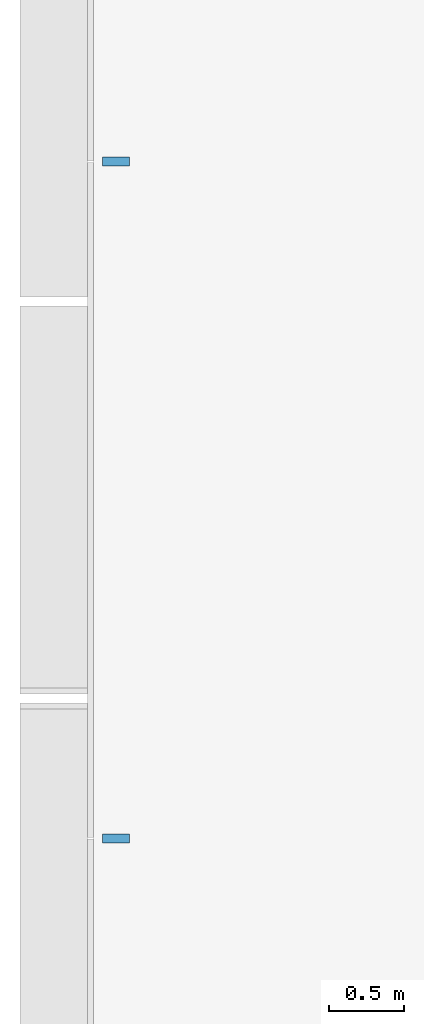
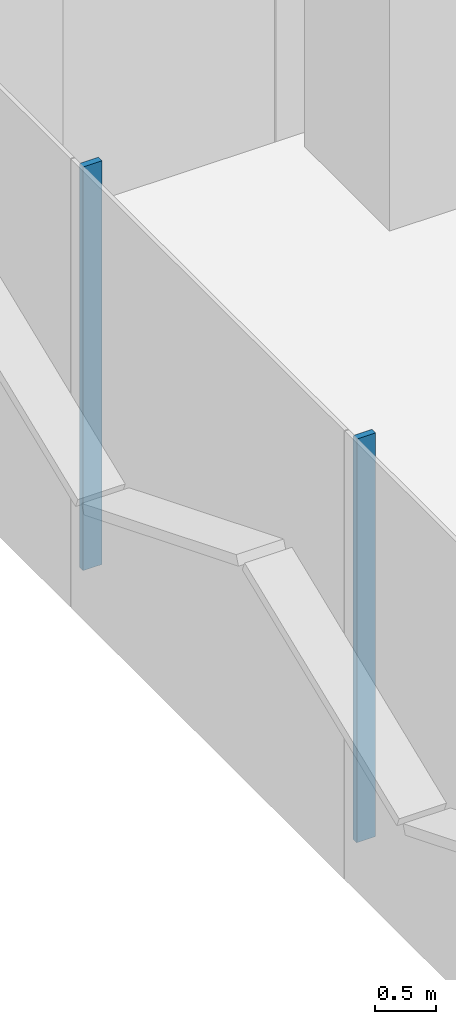
# One storey, part 4 of 22: 2 members, 1 element without a shape of its own.
"""IFC4 building model written with IfcOpenShell, lengths in metres."""

from ifc_helpers import new_model, si_unit, direction, frame, origin, origin_2d, place, context, subcontext, project, spatial, rectangle, extrude, material, layer, layer_set, material_profile, profile_set, type_object, element, aggregate, save


model = new_model("IFC4")

# Units and contexts
model_context = context("Model", 3, precision=1e-05, world=origin(), true_north=direction((0.0, 1.0)))
body_context = subcontext(model_context, "Body", "Model", "MODEL_VIEW")
ifc_project = project(units=[si_unit("LENGTHUNIT", "METRE"), si_unit("AREAUNIT", "SQUARE_METRE"), si_unit("VOLUMEUNIT", "CUBIC_METRE"), si_unit("PLANEANGLEUNIT", "RADIAN"), si_unit("MASSUNIT", "GRAM", prefix="KILO")], contexts=[model_context])

# Site, building, storey
site_placement = place(None, origin())
site = spatial("IfcSite", under=ifc_project, at=site_placement, CompositionType="ELEMENT")
building_placement = place(site_placement, origin())
building = spatial("IfcBuilding", under=site, at=building_placement, Name="Shamsa Quay Exchange Towers", CompositionType="ELEMENT")
storey_placement = place(building_placement, frame((0.0, 0.0, 37.5)))
storey = spatial("IfcBuildingStorey", under=building, at=storey_placement, Name="L07", CompositionType="ELEMENT", Elevation=37.5)

# Curtain wall, members
ifc_material = material(Name="Aluminium EN AW-6063 T6, black anodised", Category="aluminium")
ifc_layer = layer(ifc_material, 0.280029296875)
ifc_layer_set = layer_set([ifc_layer], Name="CW-1 UNITISED VISION GLASS")
curtain_wall_type = type_object("IfcCurtainWallType", Name="CW-1 UNITISED VISION GLASS", PredefinedType="NOTDEFINED", material=ifc_layer_set)
curtain_wall_placement = place(storey_placement, origin())
curtain_wall = element("IfcCurtainWall", 1, at=curtain_wall_placement, inside=storey, type_object=curtain_wall_type, Name="CW1 T1-END-U- L07", PredefinedType="NOTDEFINED")
ifc_material_profile = material_profile(ifc_material, rectangle(XDim=0.179931640625, YDim=0.06005859375, at=origin_2d()), Name="MU60x180")
ifc_profile_set = profile_set([ifc_material_profile], Name="Aluminium EN AW-6063 T6, black anodised")
member_type = type_object("IfcMemberType", Name="CW1 MULLION 60x180", PredefinedType="MULLION", material=ifc_profile_set)
member_1_placement = place(storey_placement, frame((-62.85009765625, 2.25, 0.0)))
member_1 = element("IfcMember", 2, at=member_1_placement, type_object=member_type, Name="CW1 mullion", PredefinedType="MULLION", context=body_context, shape_type="SweptSolid", body=[
    extrude(rectangle(XDim=0.179931640625, YDim=0.06005859375, at=origin_2d()), origin(), (0.0, 0.0, 1.0), 4.050048828125),
])
member_2_placement = place(storey_placement, frame((-62.85009765625, -2.25, 0.0)))
member_2 = element("IfcMember", 3, at=member_2_placement, type_object=member_type, Name="CW1 mullion", PredefinedType="MULLION", context=body_context, shape_type="SweptSolid", body=[
    extrude(rectangle(XDim=0.179931640625, YDim=0.06005859375, at=origin_2d()), origin(), (0.0, 0.0, 1.0), 4.050048828125),
])
aggregate(curtain_wall, [member_1, member_2])

save(model, "model.ifc")
